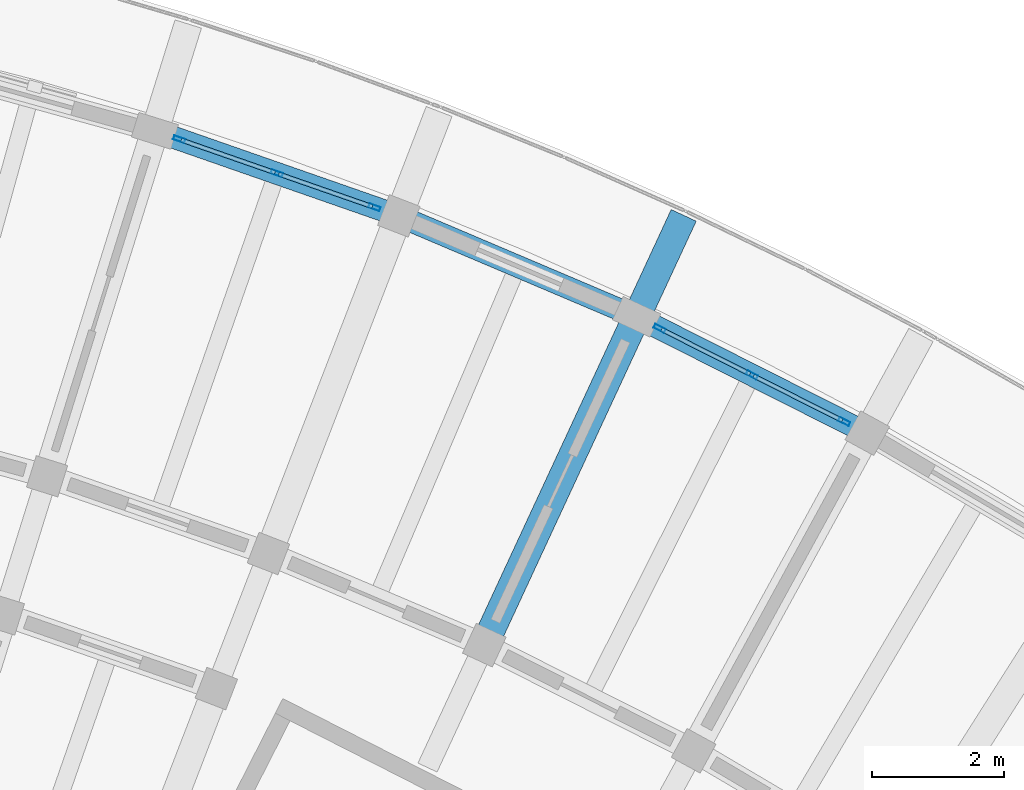
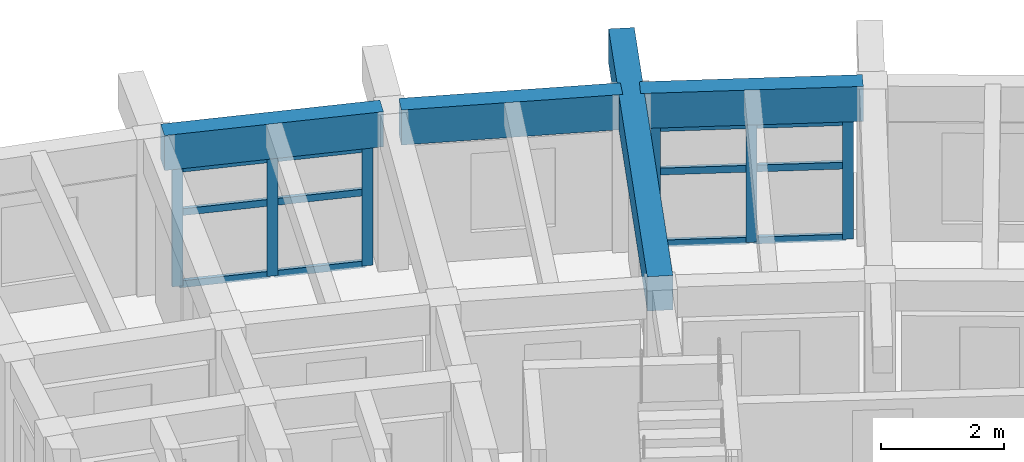
# One storey, part 25 of 62: 18 members, 4 beams, 2 elements without a shape of their own.
"""IFC4 building model written with IfcOpenShell, lengths in metres."""

from ifc_helpers import new_model, si_unit, direction, frame, origin, origin_2d, place, context, subcontext, project, spatial, rectangle, hollow_rectangle, extrude, material, material_profile, profile_set, type_object, element, aggregate, save


model = new_model("IFC4")

# Units and contexts
model_context = context("Model", 3, precision=1e-05, world=origin(), true_north=direction((0.0, 1.0)))
body_context = subcontext(model_context, "Body", "Model", "MODEL_VIEW")
ifc_project = project(units=[si_unit("LENGTHUNIT", "METRE"), si_unit("AREAUNIT", "SQUARE_METRE"), si_unit("VOLUMEUNIT", "CUBIC_METRE"), si_unit("PLANEANGLEUNIT", "RADIAN"), si_unit("MASSUNIT", "GRAM", prefix="KILO")], contexts=[model_context])

# Site, building, storey
site_placement = place(None, origin())
site = spatial("IfcSite", under=ifc_project, at=site_placement, CompositionType="ELEMENT")
building_placement = place(site_placement, origin())
building = spatial("IfcBuilding", under=site, at=building_placement, Name="Tanwirah Colonnade Gardens", CompositionType="ELEMENT")
storey_placement = place(building_placement, frame((0.0, 0.0, 32.360107421875)))
storey = spatial("IfcBuildingStorey", under=building, at=storey_placement, Name="L09", CompositionType="ELEMENT", Elevation=32.360107421875)

# Beam
ifc_material_1 = material(Name="Precast concrete C45/55", Category="concrete")
ifc_material_profile_1 = material_profile(ifc_material_1, rectangle(XDim=0.419921875, YDim=0.679931640625, at=origin_2d()), Name="PC-BM 420x680")
ifc_profile_set_1 = profile_set([ifc_material_profile_1], Name="Precast concrete C45/55")
beam_type_1 = type_object("IfcBeamType", Name="BM-PC420", PredefinedType="BEAM", material=ifc_profile_set_1)
beam_1_placement = place(storey_placement, frame((143.810546875, 109.3662109375, 2.77490234375), z_axis=(0.420855908645, 0.9071275016, 0.0), x_axis=(-0.9071275016, 0.420855908645, 0.0)))
element("IfcBeam", 1, at=beam_1_placement, inside=storey, type_object=beam_type_1, Name="Block B L09 Outer Radial Precast Girder 13", PredefinedType="BEAM", context=body_context, shape_type="SweptSolid", body=[
    extrude(rectangle(XDim=0.419921875, YDim=0.679931640625, at=origin_2d()), origin(), (0.0, 0.0, 1.0), 7.050048828125),
])

# Curtain wall, members
ifc_material_2 = material(Name="Bronze-anodised aluminium and solar-control low-E glass", Category="aluminium")
curtain_wall_type = type_object("IfcCurtainWallType", Name="CW-LOB", PredefinedType="NOTDEFINED", material=ifc_material_2)
curtain_wall_1_placement = place(storey_placement, origin())
curtain_wall_1 = element("IfcCurtainWall", 2, at=curtain_wall_1_placement, inside=storey, type_object=curtain_wall_type, Name="Curtain Wall CW-B-L09-OUT-12", PredefinedType="NOTDEFINED")
ifc_material_3 = material(Name="Bronze-anodised aluminium", Category="aluminium")
ifc_material_profile_2 = material_profile(ifc_material_3, hollow_rectangle(XDim=0.06494140625, YDim=0.179931640625, WallThickness=0.00390625, at=origin_2d()), Name="CW-MUL 65x180x4")
ifc_profile_set_2 = profile_set([ifc_material_profile_2], Name="Bronze-anodised aluminium")
member_type_1 = type_object("IfcMemberType", Name="CWM-65x180", PredefinedType="MULLION", material=ifc_profile_set_2)
member_1_placement = place(storey_placement, frame((149.216552734375, 112.62744140625, 0.0), z_axis=(0.0, 0.0, 1.0), x_axis=(-0.450529610567, -0.892761485506, 0.0)))
member_1 = element("IfcMember", 3, at=member_1_placement, type_object=member_type_1, Name="CW-LOB mullion 1", PredefinedType="MULLION", context=body_context, shape_type="SweptSolid", body=[
    extrude(hollow_rectangle(XDim=0.06494140625, YDim=0.179931640625, WallThickness=0.00390625, at=origin_2d()), origin(), (0.0, 0.0, 1.0), 2.35498046875),
])
member_2_placement = place(storey_placement, frame((147.814453125, 113.3349609375, 0.0), z_axis=(0.0, 0.0, 1.0), x_axis=(-0.450529610567, -0.892761485506, 0.0)))
member_2 = element("IfcMember", 4, at=member_2_placement, type_object=member_type_1, Name="CW-LOB mullion 2", PredefinedType="MULLION", context=body_context, shape_type="SweptSolid", body=[
    extrude(hollow_rectangle(XDim=0.06494140625, YDim=0.179931640625, WallThickness=0.00390625, at=origin_2d()), origin(), (0.0, 0.0, 1.0), 2.35498046875),
])
member_3_placement = place(storey_placement, frame((146.41259765625, 114.04248046875, 0.0), z_axis=(0.0, 0.0, 1.0), x_axis=(-0.450529610567, -0.892761485506, 0.0)))
member_3 = element("IfcMember", 5, at=member_3_placement, type_object=member_type_1, Name="CW-LOB mullion 3", PredefinedType="MULLION", context=body_context, shape_type="SweptSolid", body=[
    extrude(hollow_rectangle(XDim=0.06494140625, YDim=0.179931640625, WallThickness=0.00390625, at=origin_2d()), origin(), (0.0, 0.0, 1.0), 2.35498046875),
])

curtain_wall_2_placement = place(storey_placement, origin())
curtain_wall_2 = element("IfcCurtainWall", 6, at=curtain_wall_2_placement, inside=storey, type_object=curtain_wall_type, Name="Curtain Wall CW-B-L09-OUT-14", PredefinedType="NOTDEFINED")
member_4_placement = place(storey_placement, frame((142.077880859375, 115.882568359375, 0.0), z_axis=(0.0, 0.0, 1.0), x_axis=(-0.329232195914, -0.944248993208, 0.0)))
member_4 = element("IfcMember", 7, at=member_4_placement, type_object=member_type_1, Name="CW-LOB mullion 1", PredefinedType="MULLION", context=body_context, shape_type="SweptSolid", body=[
    extrude(hollow_rectangle(XDim=0.06494140625, YDim=0.179931640625, WallThickness=0.00390625, at=origin_2d()), origin(), (0.0, 0.0, 1.0), 2.35498046875),
])
member_5_placement = place(storey_placement, frame((140.59521484375, 116.3994140625, 0.0), z_axis=(0.0, 0.0, 1.0), x_axis=(-0.329232195914, -0.944248993208, 0.0)))
member_5 = element("IfcMember", 8, at=member_5_placement, type_object=member_type_1, Name="CW-LOB mullion 2", PredefinedType="MULLION", context=body_context, shape_type="SweptSolid", body=[
    extrude(hollow_rectangle(XDim=0.06494140625, YDim=0.179931640625, WallThickness=0.00390625, at=origin_2d()), origin(), (0.0, 0.0, 1.0), 2.35498046875),
])
member_6_placement = place(storey_placement, frame((139.1123046875, 116.91650390625, 0.0), z_axis=(0.0, 0.0, 1.0), x_axis=(-0.329232195914, -0.944248993208, 0.0)))
member_6 = element("IfcMember", 9, at=member_6_placement, type_object=member_type_1, Name="CW-LOB mullion 3", PredefinedType="MULLION", context=body_context, shape_type="SweptSolid", body=[
    extrude(hollow_rectangle(XDim=0.06494140625, YDim=0.179931640625, WallThickness=0.00390625, at=origin_2d()), origin(), (0.0, 0.0, 1.0), 2.35498046875),
])

# Member
ifc_material_profile_3 = material_profile(ifc_material_3, hollow_rectangle(XDim=0.06494140625, YDim=0.135009765625, WallThickness=0.00390625, at=origin_2d()), Name="CW-TRN 65x135x4")
ifc_profile_set_3 = profile_set([ifc_material_profile_3], Name="Bronze-anodised aluminium")
member_type_2 = type_object("IfcMemberType", Name="CWT-65x135", PredefinedType="USERDEFINED", material=ifc_profile_set_3)
member_7_placement = place(storey_placement, frame((149.1875, 112.64208984375, 0.032470703125), z_axis=(-0.892766899451, 0.45051888223, 0.0), x_axis=(-0.45051888223, -0.892766899451, 0.0)))
member_7 = element("IfcMember", 10, at=member_7_placement, type_object=member_type_2, Name="CW-LOB transom 1.1", ObjectType="TRANSOM", PredefinedType="USERDEFINED", context=body_context, shape_type="SweptSolid", body=[
    extrude(hollow_rectangle(XDim=0.06494140625, YDim=0.135009765625, WallThickness=0.00390625, at=origin_2d()), origin(), (0.0, 0.0, 1.0), 1.50537109375),
])

member_8_placement = place(storey_placement, frame((149.1875, 112.64208984375, 1.4599609375), z_axis=(-0.892766899451, 0.45051888223, 0.0), x_axis=(-0.45051888223, -0.892766899451, 0.0)))
member_8 = element("IfcMember", 11, at=member_8_placement, type_object=member_type_2, Name="CW-LOB transom 1.2", ObjectType="TRANSOM", PredefinedType="USERDEFINED", context=body_context, shape_type="SweptSolid", body=[
    extrude(hollow_rectangle(XDim=0.06494140625, YDim=0.135009765625, WallThickness=0.00390625, at=origin_2d()), origin(), (0.0, 0.0, 1.0), 1.50537109375),
])

member_9_placement = place(storey_placement, frame((149.1875, 112.64208984375, 2.322509765625), z_axis=(-0.892766899451, 0.45051888223, 0.0), x_axis=(-0.45051888223, -0.892766899451, 0.0)))
member_9 = element("IfcMember", 12, at=member_9_placement, type_object=member_type_2, Name="CW-LOB transom 1.3", ObjectType="TRANSOM", PredefinedType="USERDEFINED", context=body_context, shape_type="SweptSolid", body=[
    extrude(hollow_rectangle(XDim=0.06494140625, YDim=0.135009765625, WallThickness=0.00390625, at=origin_2d()), origin(), (0.0, 0.0, 1.0), 1.50537109375),
])

member_10_placement = place(storey_placement, frame((147.78564453125, 113.349609375, 0.032470703125), z_axis=(-0.892766899451, 0.45051888223, 0.0), x_axis=(-0.45051888223, -0.892766899451, 0.0)))
member_10 = element("IfcMember", 13, at=member_10_placement, type_object=member_type_2, Name="CW-LOB transom 2.1", ObjectType="TRANSOM", PredefinedType="USERDEFINED", context=body_context, shape_type="SweptSolid", body=[
    extrude(hollow_rectangle(XDim=0.06494140625, YDim=0.135009765625, WallThickness=0.00390625, at=origin_2d()), origin(), (0.0, 0.0, 1.0), 1.50537109375),
])

member_11_placement = place(storey_placement, frame((147.78564453125, 113.349609375, 1.4599609375), z_axis=(-0.892766899451, 0.45051888223, 0.0), x_axis=(-0.45051888223, -0.892766899451, 0.0)))
member_11 = element("IfcMember", 14, at=member_11_placement, type_object=member_type_2, Name="CW-LOB transom 2.2", ObjectType="TRANSOM", PredefinedType="USERDEFINED", context=body_context, shape_type="SweptSolid", body=[
    extrude(hollow_rectangle(XDim=0.06494140625, YDim=0.135009765625, WallThickness=0.00390625, at=origin_2d()), origin(), (0.0, 0.0, 1.0), 1.50537109375),
])

member_12_placement = place(storey_placement, frame((147.78564453125, 113.349609375, 2.322509765625), z_axis=(-0.892766899451, 0.45051888223, 0.0), x_axis=(-0.45051888223, -0.892766899451, 0.0)))
member_12 = element("IfcMember", 15, at=member_12_placement, type_object=member_type_2, Name="CW-LOB transom 2.3", ObjectType="TRANSOM", PredefinedType="USERDEFINED", context=body_context, shape_type="SweptSolid", body=[
    extrude(hollow_rectangle(XDim=0.06494140625, YDim=0.135009765625, WallThickness=0.00390625, at=origin_2d()), origin(), (0.0, 0.0, 1.0), 1.50537109375),
])

aggregate(curtain_wall_1, [member_1, member_2, member_3, member_7, member_8, member_9, member_10, member_11, member_12])

member_13_placement = place(storey_placement, frame((142.04736328125, 115.89306640625, 0.032470703125), z_axis=(-0.944264668156, 0.329187236194, 0.0), x_axis=(-0.329187236194, -0.944264668156, 0.0)))
member_13 = element("IfcMember", 16, at=member_13_placement, type_object=member_type_2, Name="CW-LOB transom 1.1", ObjectType="TRANSOM", PredefinedType="USERDEFINED", context=body_context, shape_type="SweptSolid", body=[
    extrude(hollow_rectangle(XDim=0.06494140625, YDim=0.135009765625, WallThickness=0.00390625, at=origin_2d()), origin(), (0.0, 0.0, 1.0), 1.505615234375),
])

member_14_placement = place(storey_placement, frame((142.04736328125, 115.89306640625, 1.4599609375), z_axis=(-0.944264668156, 0.329187236194, 0.0), x_axis=(-0.329187236194, -0.944264668156, 0.0)))
member_14 = element("IfcMember", 17, at=member_14_placement, type_object=member_type_2, Name="CW-LOB transom 1.2", ObjectType="TRANSOM", PredefinedType="USERDEFINED", context=body_context, shape_type="SweptSolid", body=[
    extrude(hollow_rectangle(XDim=0.06494140625, YDim=0.135009765625, WallThickness=0.00390625, at=origin_2d()), origin(), (0.0, 0.0, 1.0), 1.505615234375),
])

member_15_placement = place(storey_placement, frame((142.04736328125, 115.89306640625, 2.322509765625), z_axis=(-0.944264668156, 0.329187236194, 0.0), x_axis=(-0.329187236194, -0.944264668156, 0.0)))
member_15 = element("IfcMember", 18, at=member_15_placement, type_object=member_type_2, Name="CW-LOB transom 1.3", ObjectType="TRANSOM", PredefinedType="USERDEFINED", context=body_context, shape_type="SweptSolid", body=[
    extrude(hollow_rectangle(XDim=0.06494140625, YDim=0.135009765625, WallThickness=0.00390625, at=origin_2d()), origin(), (0.0, 0.0, 1.0), 1.505615234375),
])

member_16_placement = place(storey_placement, frame((140.564453125, 116.41015625, 0.032470703125), z_axis=(-0.944247091644, 0.329237649611, 0.0), x_axis=(-0.329237649611, -0.944247091644, 0.0)))
member_16 = element("IfcMember", 19, at=member_16_placement, type_object=member_type_2, Name="CW-LOB transom 2.1", ObjectType="TRANSOM", PredefinedType="USERDEFINED", context=body_context, shape_type="SweptSolid", body=[
    extrude(hollow_rectangle(XDim=0.06494140625, YDim=0.135009765625, WallThickness=0.00390625, at=origin_2d()), origin(), (0.0, 0.0, 1.0), 1.50537109375),
])

member_17_placement = place(storey_placement, frame((140.564453125, 116.41015625, 1.4599609375), z_axis=(-0.944247091644, 0.329237649611, 0.0), x_axis=(-0.329237649611, -0.944247091644, 0.0)))
member_17 = element("IfcMember", 20, at=member_17_placement, type_object=member_type_2, Name="CW-LOB transom 2.2", ObjectType="TRANSOM", PredefinedType="USERDEFINED", context=body_context, shape_type="SweptSolid", body=[
    extrude(hollow_rectangle(XDim=0.06494140625, YDim=0.135009765625, WallThickness=0.00390625, at=origin_2d()), origin(), (0.0, 0.0, 1.0), 1.50537109375),
])

member_18_placement = place(storey_placement, frame((140.564453125, 116.41015625, 2.322509765625), z_axis=(-0.944247091644, 0.329237649611, 0.0), x_axis=(-0.329237649611, -0.944247091644, 0.0)))
member_18 = element("IfcMember", 21, at=member_18_placement, type_object=member_type_2, Name="CW-LOB transom 2.3", ObjectType="TRANSOM", PredefinedType="USERDEFINED", context=body_context, shape_type="SweptSolid", body=[
    extrude(hollow_rectangle(XDim=0.06494140625, YDim=0.135009765625, WallThickness=0.00390625, at=origin_2d()), origin(), (0.0, 0.0, 1.0), 1.50537109375),
])

aggregate(curtain_wall_2, [member_4, member_5, member_6, member_13, member_14, member_15, member_16, member_17, member_18])

# Beams
ifc_material_4 = material(Name="Precast concrete C40/50", Category="concrete")
ifc_material_profile_4 = material_profile(ifc_material_4, rectangle(XDim=0.3349609375, YDim=0.695068359375, at=origin_2d()), Name="PC-SP 335x695")
ifc_profile_set_4 = profile_set([ifc_material_profile_4], Name="Precast concrete C40/50")
beam_type_2 = type_object("IfcBeamType", Name="SP-PC300", PredefinedType="SPANDREL", material=ifc_profile_set_4)
beam_2_placement = place(storey_placement, frame((149.43310546875, 112.518310546875, 2.767333984375), z_axis=(-0.892764670911, 0.450523298368, 0.0), x_axis=(-0.450523298368, -0.892764670911, 0.0)))
element("IfcBeam", 22, at=beam_2_placement, inside=storey, type_object=beam_type_2, Name="Block B L09 Circumferential Beam 12-R3", PredefinedType="SPANDREL", context=body_context, shape_type="SweptSolid", body=[
    extrude(rectangle(XDim=0.3349609375, YDim=0.695068359375, at=origin_2d()), origin(), (0.0, 0.0, 1.0), 3.6259765625),
])
for number, where, z_axis, x_axis, name in (
    (23, (145.924072265625, 114.27783203125, 2.767333984375), (-0.920494456807, 0.390755620545, 0.0), (-0.390755620545, -0.920494456807, 0.0), "Block B L09 Circumferential Beam 13-R3"),
    (24, (142.306884765625, 115.802490234375, 2.767333984375), (-0.944236700093, 0.329267450863, 0.0), (-0.329267450863, -0.944236700093, 0.0), "Block B L09 Circumferential Beam 14-R3"),
):
    element("IfcBeam", number, at=place(storey_placement, frame(where, z_axis=z_axis, x_axis=x_axis)), inside=storey, type_object=beam_type_2, Name=name, PredefinedType="SPANDREL", context=body_context, shape_type="SweptSolid", body=[
        extrude(rectangle(XDim=0.3349609375, YDim=0.695068359375, at=origin_2d()), origin(), (0.0, 0.0, 1.0), 3.625732421875),
    ])

save(model, "model.ifc")
